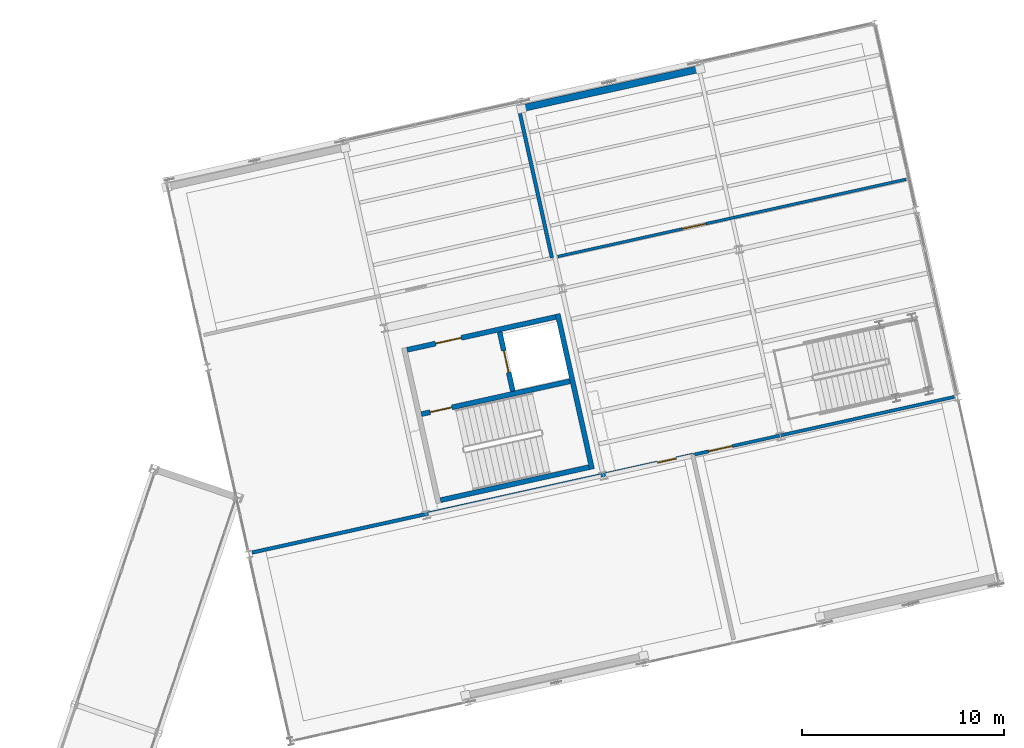
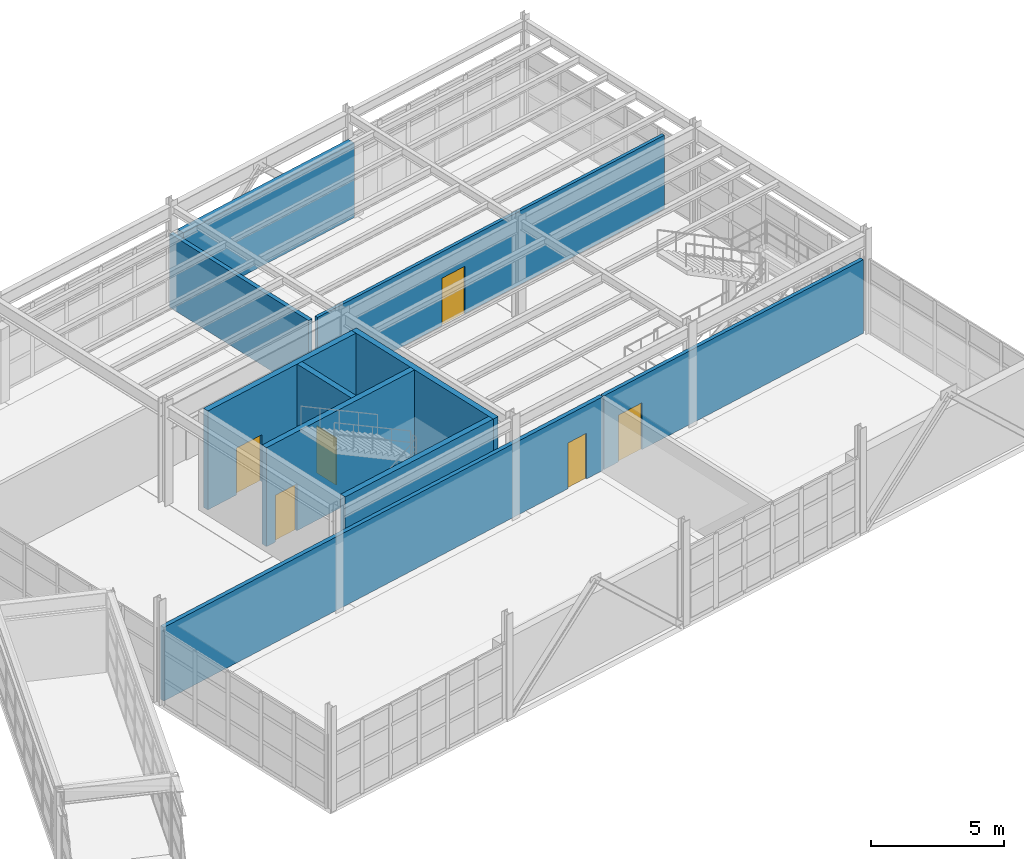
# One storey, part 91 of 102: 10 walls, 6 doors, 6 openings.
"""IFC4 building model written with IfcOpenShell, lengths in metres."""

from ifc_helpers import new_model, si_unit, direction, frame, frame_2d, origin, origin_with_axes, place, context, subcontext, project, spatial, rectangle, extrude, material, layer, layer_set, type_object, element, fill, save


model = new_model("IFC4")

# Units and contexts
model_context = context("Model", 3, precision=1e-05, world=origin(), true_north=direction((0.0, 1.0)))
body_context = subcontext(model_context, "Body", "Model", "MODEL_VIEW")
ifc_project = project(units=[si_unit("LENGTHUNIT", "METRE"), si_unit("AREAUNIT", "SQUARE_METRE"), si_unit("VOLUMEUNIT", "CUBIC_METRE"), si_unit("PLANEANGLEUNIT", "RADIAN"), si_unit("MASSUNIT", "GRAM", prefix="KILO")], contexts=[model_context])

# Site, building, storey
site_placement = place(None, origin())
site = spatial("IfcSite", under=ifc_project, at=site_placement, CompositionType="ELEMENT")
building_placement = place(site_placement, origin())
building = spatial("IfcBuilding", under=site, at=building_placement, Name="Vireo Bluff Cable Station", CompositionType="ELEMENT")
storey_placement = place(building_placement, frame((0.0, 0.0, 9.60009765625)))
storey = spatial("IfcBuildingStorey", under=building, at=storey_placement, Name="L02", CompositionType="ELEMENT", Elevation=9.60009765625)

# Wall
ifc_material_1 = material(Name="Precast concrete f'c 45 MPa", Category="concrete")
ifc_layer_1 = layer(ifc_material_1, 0.35009765625, Name="Precast concrete f'c 45 MPa")
ifc_layer_set_1 = layer_set([ifc_layer_1], Name="Precast concrete f'c 45 MPa")
wall_type_1 = type_object("IfcWallType", Name="EW-PRECAST-350", PredefinedType="SOLIDWALL", material=ifc_layer_set_1)
wall_1_placement = place(storey_placement, frame((137.631103515625, 105.42236328125, 0.0), z_axis=(0.0, 0.0, 1.0), x_axis=(0.976300963556, 0.216417255688, 0.0)))
element("IfcWall", 1, at=wall_1_placement, inside=storey, type_object=wall_type_1, Name="V2 L02 north exterior wall 42", PredefinedType="SOLIDWALL", context=body_context, shape_type="SweptSolid", body=[
    extrude(rectangle(XDim=8.714599609375, YDim=0.35009765625, at=frame_2d((4.357421875, 0.0))), origin(), (0.0, 0.0, 1.0), 3.39990234375),
])

# Wall, opening, door
ifc_material_2 = material(Name="Fire-Rated Gypsum Board Partition")
ifc_layer_2 = layer(ifc_material_2, 0.139892578125, Name="Fire-Rated Gypsum Board Partition")
ifc_layer_set_2 = layer_set([ifc_layer_2], Name="Fire-Rated Gypsum Board Partition")
wall_type_2 = type_object("IfcWallType", Name="PT-1HR-140", PredefinedType="PARTITIONING", material=ifc_layer_set_2)
wall_2_placement = place(storey_placement, frame((156.52197265625, 101.86669921875, 0.0), z_axis=(0.0, 0.0, 1.0), x_axis=(-0.976295460433, -0.21644207987, 0.0)))
wall_2 = element("IfcWall", 2, at=wall_2_placement, inside=storey, type_object=wall_type_2, Name="V2 L02 Acoustic Ventilation Plenum Hall S partition", PredefinedType="PARTITIONING", context=body_context, shape_type="SweptSolid", body=[
    extrude(rectangle(XDim=17.679931640625, YDim=0.139892578125, at=frame_2d((8.83984375, 0.0))), origin(), (0.0, 0.0, 1.0), 3.3798828125),
])
opening_1_placement = place(wall_2_placement, frame((10.17138671875, 0.0, 0.0)))
opening_1 = element("IfcOpeningElement", 3, at=opening_1_placement, cuts=wall_2, Name="Opening D-0070", PredefinedType="OPENING", context=body_context, shape_type="SweptSolid", body=[
    extrude(rectangle(XDim=1.179931640625, YDim=2.179931640625, at=frame_2d((0.58984375, 1.08984375))), frame((0.0, 0.080078125, 0.0), z_axis=(0.0, -1.0, 0.0), x_axis=(1.0, 0.0, 0.0)), (0.0, 0.0, 1.0), 0.159912109375),
])
ifc_material_3 = material(Name="Anodized Aluminium 6063-T6", Category="aluminium")
door_type_1 = type_object("IfcDoorType", Name="IDOOR60-1180X2180", OperationType="NOTDEFINED", PredefinedType="DOOR", material=ifc_material_3)
door_1_placement = place(opening_1_placement, origin_with_axes())
door_1 = element("IfcDoor", 4, at=door_1_placement, inside=storey, type_object=door_type_1, Name="V2 L02 Acoustic Ventilation Plenum Hall door D-0070", OperationType="SINGLE_SWING_LEFT", OverallHeight=2.179931640625, OverallWidth=1.179931640625, PredefinedType="DOOR", context=body_context, shape_type="SweptSolid", body=[
    extrude(rectangle(XDim=1.179931640625, YDim=2.179931640625, at=frame_2d((0.58984375, 1.08984375))), frame((0.0, 0.02490234375, 0.0), z_axis=(0.0, -1.0, 0.0), x_axis=(1.0, 0.0, 0.0)), (0.0, 0.0, 1.0), 0.050048828125),
])
fill(opening_1, door_1)

ifc_layer_3 = layer(ifc_material_2, 0.159912109375, Name="Fire-Rated Gypsum Board Partition")
ifc_layer_set_3 = layer_set([ifc_layer_3], Name="Fire-Rated Gypsum Board Partition")
wall_type_3 = type_object("IfcWallType", Name="PT-2HR-160", PredefinedType="PARTITIONING", material=ifc_layer_set_3)
wall_3_placement = place(storey_placement, frame((145.997314453125, 88.215087890625, 0.0), z_axis=(0.0, 0.0, 1.0), x_axis=(0.976295056142, 0.216443903478, 0.0)))
wall_3 = element("IfcWall", 5, at=wall_3_placement, inside=storey, type_object=wall_type_3, Name="V2 L02 Hydraulic Tensioning Vault N partition", PredefinedType="PARTITIONING", context=body_context, shape_type="SweptSolid", body=[
    extrude(rectangle(XDim=13.22998046875, YDim=0.159912109375, at=frame_2d((6.614990234375, 0.0))), origin(), (0.0, 0.0, 1.0), 3.3798828125),
])
opening_2_placement = place(wall_3_placement, frame((0.75390625, 0.0, 0.0)))
opening_2 = element("IfcOpeningElement", 6, at=opening_2_placement, cuts=wall_3, Name="Opening D-0071", PredefinedType="OPENING", context=body_context, shape_type="SweptSolid", body=[
    extrude(rectangle(XDim=1.199951171875, YDim=2.14990234375, at=frame_2d((0.60009765625, 1.074951171875))), frame((0.0, 0.08984375, 0.0), z_axis=(0.0, -1.0, 0.0), x_axis=(1.0, 0.0, 0.0)), (0.0, 0.0, 1.0), 0.179931640625),
])
ifc_material_4 = material(Name="Stainless Steel 316", Category="steel")
door_type_2 = type_object("IfcDoorType", Name="IDOOR90-1200X2150", OperationType="NOTDEFINED", PredefinedType="DOOR", material=ifc_material_4)
door_2_placement = place(opening_2_placement, origin_with_axes())
door_2 = element("IfcDoor", 7, at=door_2_placement, inside=storey, type_object=door_type_2, Name="V2 L02 Hydraulic Tensioning Vault door D-0071", OperationType="SINGLE_SWING_RIGHT", OverallHeight=2.14990234375, OverallWidth=1.199951171875, PredefinedType="DOOR", context=body_context, shape_type="SweptSolid", body=[
    extrude(rectangle(XDim=1.199951171875, YDim=2.14990234375, at=frame_2d((0.60009765625, 1.074951171875))), frame((0.0, 0.02490234375, 0.0), z_axis=(0.0, -1.0, 0.0), x_axis=(1.0, 0.0, 0.0)), (0.0, 0.0, 1.0), 0.050048828125),
])
fill(opening_2, door_2)

ifc_layer_4 = layer(ifc_material_2, 0.179931640625, Name="Fire-Rated Gypsum Board Partition")
ifc_layer_set_4 = layer_set([ifc_layer_4], Name="Fire-Rated Gypsum Board Partition")
wall_type_4 = type_object("IfcWallType", Name="PT-2HR-180", PredefinedType="PARTITIONING", material=ifc_layer_set_4)
wall_4_placement = place(storey_placement, frame((124.098876953125, 83.3603515625, 0.0), z_axis=(0.0, 0.0, 1.0), x_axis=(0.976295512731, 0.216441843972, 0.0)))
wall_4 = element("IfcWall", 8, at=wall_4_placement, inside=storey, type_object=wall_type_4, Name="V2 L02 Drive Room N partition", PredefinedType="PARTITIONING", context=body_context, shape_type="SweptSolid", body=[
    extrude(rectangle(XDim=22.380126953125, YDim=0.179931640625, at=frame_2d((11.18994140625, 0.0))), origin(), (0.0, 0.0, 1.0), 3.3798828125),
])
opening_3_placement = place(wall_4_placement, frame((20.60009765625, 0.0, 0.0)))
opening_3 = element("IfcOpeningElement", 9, at=opening_3_placement, cuts=wall_4, Name="Opening D-0068", PredefinedType="OPENING", context=body_context, shape_type="SweptSolid", body=[
    extrude(rectangle(XDim=0.949951171875, YDim=2.10009765625, at=frame_2d((0.47509765625, 1.050048828125))), frame((0.0, 0.10009765625, 0.0), z_axis=(0.0, -1.0, 0.0), x_axis=(1.0, 0.0, 0.0)), (0.0, 0.0, 1.0), 0.199951171875),
])
door_type_3 = type_object("IfcDoorType", Name="IDOOR90-950X2100", OperationType="NOTDEFINED", PredefinedType="DOOR", material=ifc_material_4)
door_3_placement = place(opening_3_placement, origin_with_axes())
door_3 = element("IfcDoor", 10, at=door_3_placement, inside=storey, type_object=door_type_3, Name="V2 L02 Drive Room door D-0068", OperationType="SINGLE_SWING_LEFT", OverallHeight=2.10009765625, OverallWidth=0.949951171875, PredefinedType="DOOR", context=body_context, shape_type="SweptSolid", body=[
    extrude(rectangle(XDim=0.949951171875, YDim=2.10009765625, at=frame_2d((0.47509765625, 1.050048828125))), frame((0.0, 0.02490234375, 0.0), z_axis=(0.0, -1.0, 0.0), x_axis=(1.0, 0.0, 0.0)), (0.0, 0.0, 1.0), 0.050048828125),
])
fill(opening_3, door_3)

# Walls
wall_5_placement = place(storey_placement, frame((137.295166015625, 105.52197265625, 0.0), z_axis=(0.0, 0.0, 1.0), x_axis=(0.216438848958, -0.976296176712, 0.0)))
element("IfcWall", 11, at=wall_5_placement, inside=storey, type_object=wall_type_4, Name="V2 L02 Auxiliary Evacuation Drive Room E partition", PredefinedType="PARTITIONING", context=body_context, shape_type="SweptSolid", body=[
    extrude(rectangle(XDim=7.730224609375, YDim=0.179931640625, at=frame_2d((3.865234375, 0.0))), origin(), (0.0, 0.0, 1.0), 3.3798828125),
])
ifc_material_5 = material(Name="Concrete f'c 40 MPa", Category="concrete")
ifc_layer_5 = layer(ifc_material_5, 0.25, Name="Concrete f'c 40 MPa")
ifc_layer_set_5 = layer_set([ifc_layer_5], Name="Concrete f'c 40 MPa")
wall_type_5 = type_object("IfcWallType", Name="SW-CORE-250", PredefinedType="SHEAR", material=ifc_layer_set_5)
wall_6_placement = place(storey_placement, frame((140.958251953125, 87.49755859375, 0.0), z_axis=(0.0, 0.0, 1.0), x_axis=(-0.216461618103, 0.976291128654, 0.0)))
element("IfcWall", 12, at=wall_6_placement, inside=storey, type_object=wall_type_5, Name="CORE-4 L02 core E shear wall", PredefinedType="SHEAR", context=body_context, shape_type="SweptSolid", body=[
    extrude(rectangle(XDim=7.885009765625, YDim=0.25, at=frame_2d((3.9423828125, 0.0))), origin(), (0.0, 0.0, 1.0), 4.539794921875),
])
wall_7_placement = place(storey_placement, frame((133.43798828125, 85.958251953125, 0.0), z_axis=(0.0, 0.0, 1.0), x_axis=(0.976291943102, 0.216457944725, 0.0)))
element("IfcWall", 13, at=wall_7_placement, inside=storey, type_object=wall_type_5, Name="CORE-4 L02 stair shaft south shear wall", PredefinedType="SHEAR", context=body_context, shape_type="SweptSolid", body=[
    extrude(rectangle(XDim=7.550048828125, YDim=0.25, at=frame_2d((3.77490234375, 0.0))), origin(), (0.0, 0.0, 1.0), 4.539794921875),
])

# Wall, opening, door
wall_8_placement = place(storey_placement, frame((139.86328125, 91.85888671875, 0.0), z_axis=(0.0, 0.0, 1.0), x_axis=(-0.97629877613, -0.216427123365, 0.0)))
wall_8 = element("IfcWall", 14, at=wall_8_placement, inside=storey, type_object=wall_type_5, Name="CORE-4 L02 stair shaft north shear wall", PredefinedType="SHEAR", context=body_context, shape_type="SweptSolid", body=[
    extrude(rectangle(XDim=7.550048828125, YDim=0.25, at=frame_2d((3.77490234375, 0.0))), origin(), (0.0, 0.0, 1.0), 4.539794921875),
])
opening_4_placement = place(wall_8_placement, frame((6.0, 0.0, 0.0)))
opening_4 = element("IfcOpeningElement", 15, at=opening_4_placement, cuts=wall_8, Name="Opening SD-029", PredefinedType="OPENING", context=body_context, shape_type="SweptSolid", body=[
    extrude(rectangle(XDim=1.10009765625, YDim=2.14990234375, at=frame_2d((0.550048828125, 1.074951171875))), frame((0.0, 0.135009765625, 0.0), z_axis=(0.0, -1.0, 0.0), x_axis=(1.0, 0.0, 0.0)), (0.0, 0.0, 1.0), 0.27001953125),
])
door_type_4 = type_object("IfcDoorType", Name="IDOOR90-1100X2150", OperationType="NOTDEFINED", PredefinedType="DOOR", material=ifc_material_4)
door_4_placement = place(opening_4_placement, origin_with_axes())
door_4 = element("IfcDoor", 16, at=door_4_placement, inside=storey, type_object=door_type_4, Name="CORE-4 L02 stair fire door SD-029", OperationType="SINGLE_SWING_RIGHT", OverallHeight=2.14990234375, OverallWidth=1.10009765625, PredefinedType="DOOR", context=body_context, shape_type="SweptSolid", body=[
    extrude(rectangle(XDim=1.10009765625, YDim=2.14990234375, at=frame_2d((0.550048828125, 1.074951171875))), frame((0.0, 0.02490234375, 0.0), z_axis=(0.0, -1.0, 0.0), x_axis=(1.0, 0.0, 0.0)), (0.0, 0.0, 1.0), 0.050048828125),
])
fill(opening_4, door_4)

wall_9_placement = place(storey_placement, frame((139.156494140625, 95.04638671875, 0.0), z_axis=(0.0, 0.0, 1.0), x_axis=(-0.976297261401, -0.216433956164, 0.0)))
wall_9 = element("IfcWall", 17, at=wall_9_placement, inside=storey, type_object=wall_type_5, Name="CORE-4 L02 core north shear wall", PredefinedType="SHEAR", context=body_context, shape_type="SweptSolid", body=[
    extrude(rectangle(XDim=7.5498046875, YDim=0.25, at=frame_2d((3.77490234375, 0.0))), origin(), (0.0, 0.0, 1.0), 4.539794921875),
])
opening_5_placement = place(wall_9_placement, frame((4.800048828125, 0.0, 0.0)))
opening_5 = element("IfcOpeningElement", 18, at=opening_5_placement, cuts=wall_9, Name="Opening FD-030", PredefinedType="OPENING", context=body_context, shape_type="SweptSolid", body=[
    extrude(rectangle(XDim=1.300048828125, YDim=2.14990234375, at=frame_2d((0.64990234375, 1.074951171875))), frame((0.0, 0.135009765625, 0.0), z_axis=(0.0, -1.0, 0.0), x_axis=(1.0, 0.0, 0.0)), (0.0, 0.0, 1.0), 0.27001953125),
])
door_type_5 = type_object("IfcDoorType", Name="IDOOR90-1300X2150", OperationType="NOTDEFINED", PredefinedType="DOOR", material=ifc_material_4)
door_5_placement = place(opening_5_placement, origin_with_axes())
door_5 = element("IfcDoor", 19, at=door_5_placement, inside=storey, type_object=door_type_5, Name="CORE-4 L02 firefighting lobby door FD-030", OperationType="SINGLE_SWING_LEFT", OverallHeight=2.14990234375, OverallWidth=1.300048828125, PredefinedType="DOOR", context=body_context, shape_type="SweptSolid", body=[
    extrude(rectangle(XDim=1.300048828125, YDim=2.14990234375, at=frame_2d((0.64990234375, 1.074951171875))), frame((0.0, 0.02490234375, 0.0), z_axis=(0.0, -1.0, 0.0), x_axis=(1.0, 0.0, 0.0)), (0.0, 0.0, 1.0), 0.050048828125),
])
fill(opening_5, door_5)

wall_10_placement = place(storey_placement, frame((137.029296875, 91.358642578125, 0.0), z_axis=(0.0, 0.0, 1.0), x_axis=(-0.216441732724, 0.976295537394, 0.0)))
wall_10 = element("IfcWall", 20, at=wall_10_placement, inside=storey, type_object=wall_type_5, Name="CORE-4 L02 lift shaft front wall", PredefinedType="SHEAR", context=body_context, shape_type="SweptSolid", body=[
    extrude(rectangle(XDim=3.01513671875, YDim=0.25, at=frame_2d((1.507568359375, 0.0))), origin(), (0.0, 0.0, 1.0), 4.539794921875),
])
opening_6_placement = place(wall_10_placement, frame((0.95751953125, 0.0, 0.0)))
opening_6 = element("IfcOpeningElement", 21, at=opening_6_placement, cuts=wall_10, Name="Opening LD-015", PredefinedType="OPENING", context=body_context, shape_type="SweptSolid", body=[
    extrude(rectangle(XDim=1.10009765625, YDim=2.14990234375, at=frame_2d((0.550048828125, 1.074951171875))), frame((0.0, 0.135009765625, 0.0), z_axis=(0.0, -1.0, 0.0), x_axis=(1.0, 0.0, 0.0)), (0.0, 0.0, 1.0), 0.27001953125),
])
door_type_6 = type_object("IfcDoorType", Name="LIFTDOOR-1100X2150", OperationType="DOUBLE_DOOR_SLIDING", PredefinedType="DOOR", material=ifc_material_4)
door_6_placement = place(opening_6_placement, origin_with_axes())
door_6 = element("IfcDoor", 22, at=door_6_placement, inside=storey, type_object=door_type_6, Name="CORE-4 L02 lift sliding landing door LD-015", OperationType="DOUBLE_DOOR_SLIDING", OverallHeight=2.14990234375, OverallWidth=1.10009765625, PredefinedType="DOOR", context=body_context, shape_type="SweptSolid", body=[
    extrude(rectangle(XDim=1.10009765625, YDim=2.14990234375, at=frame_2d((0.550048828125, 1.074951171875))), frame((0.0, 0.02490234375, 0.0), z_axis=(0.0, -1.0, 0.0), x_axis=(1.0, 0.0, 0.0)), (0.0, 0.0, 1.0), 0.050048828125),
])
fill(opening_6, door_6)

save(model, "model.ifc")
